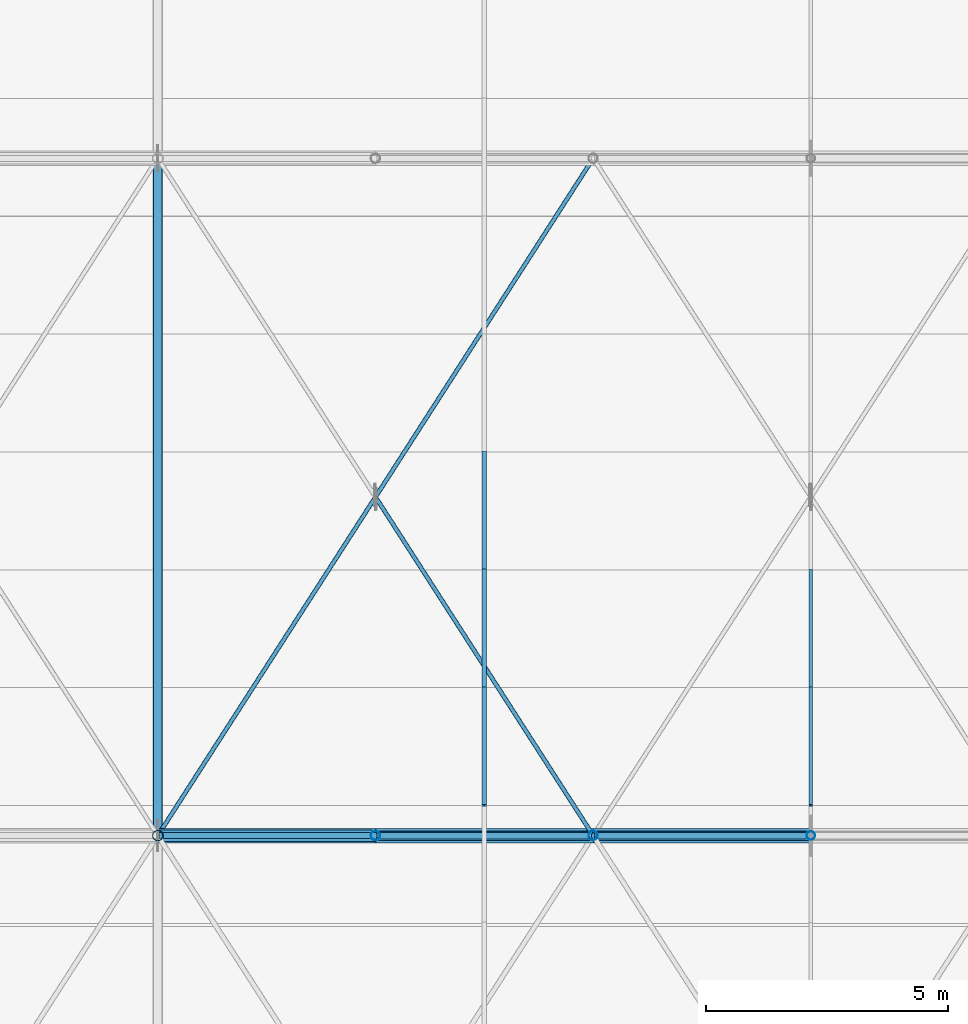
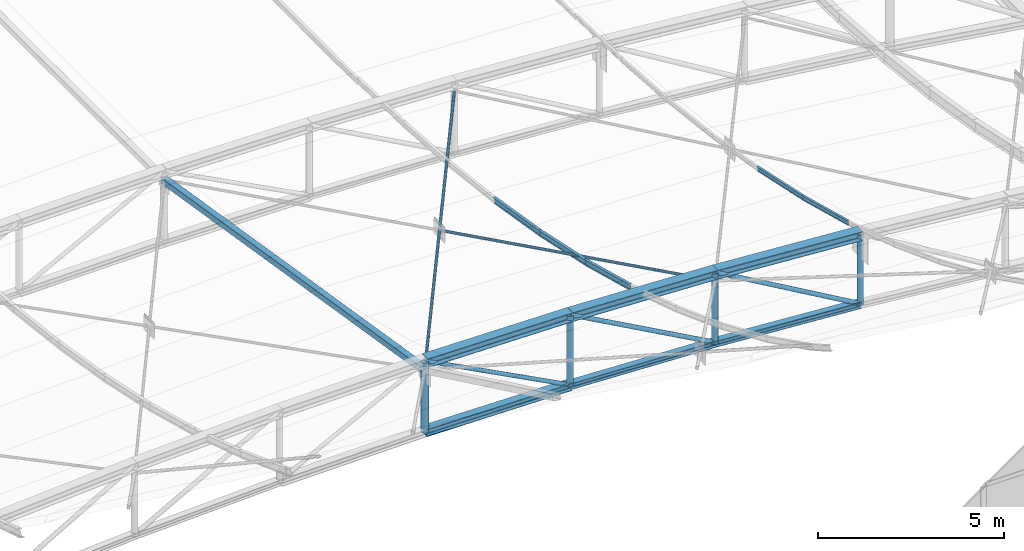
# One storey, part 154 of 262: 21 members.
"""IFC4 building model written with IfcOpenShell, lengths in metres."""

from ifc_helpers import new_model, si_unit, derived_unit, direction, frame, origin, origin_2d, place, context, subcontext, project, spatial, hollow_rectangle, hollow_circle, i_section, extrude, material, material_profile, profile_set, type_object, element, save


model = new_model("IFC4")

# Units and contexts
model_context = context("Model", 3, precision=1e-05, world=origin(), true_north=direction((0.0, 1.0)))
body_context = subcontext(model_context, "Body", "Model", "MODEL_VIEW")
ifc_project = project(units=[si_unit("LENGTHUNIT", "METRE"), si_unit("AREAUNIT", "SQUARE_METRE"), si_unit("VOLUMEUNIT", "CUBIC_METRE"), si_unit("PLANEANGLEUNIT", "RADIAN"), si_unit("MASSUNIT", "GRAM", prefix="KILO"), derived_unit("THERMALTRANSMITTANCEUNIT", [(si_unit("POWERUNIT", "WATT"), 1), (si_unit("LENGTHUNIT", "METRE"), -2), (si_unit("THERMODYNAMICTEMPERATUREUNIT", "KELVIN"), -1)])], contexts=[model_context])

# Site, building, storey
site_placement = place(None, origin())
site = spatial("IfcSite", under=ifc_project, at=site_placement, CompositionType="ELEMENT")
building_placement = place(site_placement, origin())
building = spatial("IfcBuilding", under=site, at=building_placement, Name="Almenara Railside Exhibition Hall", CompositionType="ELEMENT")
storey_placement = place(building_placement, frame((0.0, 0.0, 21.699951171875)))
storey = spatial("IfcBuildingStorey", under=building, at=storey_placement, Name="RF", CompositionType="ELEMENT", Elevation=21.699951171875)

# Members
ifc_material = material(Name="Structural steel S355JR", Category="steel")
ifc_material_profile_1 = material_profile(ifc_material, i_section(OverallWidth=0.239990234375, OverallDepth=0.239990234375, WebThickness=0.010009765625, FlangeThickness=0.01708984375, FilletRadius=0.02099609375, at=origin_2d()), Name="HEB 240")
ifc_profile_set_1 = profile_set([ifc_material_profile_1], Name="Structural steel S355JR")
member_type_1 = type_object("IfcMemberType", Name="Arched Crown Bottom Chord HEB 240 S355JR", PredefinedType="CHORD", material=ifc_profile_set_1)
member_1_placement = place(storey_placement, frame((165.0, 48.0, -5.116455078125), z_axis=(0.999908030213, 0.0, -0.013562120635), x_axis=(0.0, 1.0, 0.0)))
element("IfcMember", 1, at=member_1_placement, inside=storey, type_object=member_type_1, Name="MEM-BC-V2-01-06", PredefinedType="CHORD", context=body_context, shape_type="SweptSolid", body=[
    extrude(i_section(OverallWidth=0.239990234375, OverallDepth=0.239990234375, WebThickness=0.010009765625, FlangeThickness=0.01708984375, FilletRadius=0.02099609375, at=origin_2d()), origin(), (0.0, 0.0, 1.0), 4.50048828125),
])
ifc_material_profile_2 = material_profile(ifc_material, i_section(OverallWidth=0.300048828125, OverallDepth=0.300048828125, WebThickness=0.010986328125, FlangeThickness=0.01904296875, FilletRadius=0.027099609375, at=origin_2d()), Name="HEB 300")
ifc_profile_set_2 = profile_set([ifc_material_profile_2], Name="Structural steel S355JR")
member_type_2 = type_object("IfcMemberType", Name="Arched Inner Top Chord HEB 300 S355JR", PredefinedType="CHORD", material=ifc_profile_set_2)
member_2_placement = place(storey_placement, frame((165.0, 48.0, -2.81640625), z_axis=(0.999908030213, 0.0, -0.013562120635), x_axis=(0.0, 1.0, 0.0)))
element("IfcMember", 2, at=member_2_placement, inside=storey, type_object=member_type_2, Name="MEM-TC-V2-01-06", PredefinedType="CHORD", context=body_context, shape_type="SweptSolid", body=[
    extrude(i_section(OverallWidth=0.300048828125, OverallDepth=0.300048828125, WebThickness=0.010986328125, FlangeThickness=0.01904296875, FilletRadius=0.027099609375, at=origin_2d()), origin(), (0.0, 0.0, 1.0), 4.50048828125),
])
member_3_placement = place(storey_placement, frame((169.5, 48.0, -2.87744140625), z_axis=(0.99917098071, 0.0, -0.04071057978), x_axis=(0.0, 1.0, 0.0)))
element("IfcMember", 3, at=member_3_placement, inside=storey, type_object=member_type_2, Name="MEM-TC-V2-01-07", PredefinedType="CHORD", context=body_context, shape_type="SweptSolid", body=[
    extrude(i_section(OverallWidth=0.300048828125, OverallDepth=0.300048828125, WebThickness=0.010986328125, FlangeThickness=0.01904296875, FilletRadius=0.027099609375, at=origin_2d()), origin(), (0.0, 0.0, 1.0), 4.503662109375),
])
member_4_placement = place(storey_placement, frame((174.0, 48.0, -3.060791015625), z_axis=(0.997701025897, 0.0, -0.067769188608), x_axis=(0.0, 1.0, 0.0)))
element("IfcMember", 4, at=member_4_placement, inside=storey, type_object=member_type_2, Name="MEM-TC-V2-01-08", PredefinedType="CHORD", context=body_context, shape_type="SweptSolid", body=[
    extrude(i_section(OverallWidth=0.300048828125, OverallDepth=0.300048828125, WebThickness=0.010986328125, FlangeThickness=0.01904296875, FilletRadius=0.027099609375, at=origin_2d()), origin(), (0.0, 0.0, 1.0), 4.51025390625),
])
ifc_material_profile_3 = material_profile(ifc_material, i_section(OverallWidth=0.199951171875, OverallDepth=0.199951171875, WebThickness=0.009033203125, FlangeThickness=0.014892578125, FilletRadius=0.01806640625, at=origin_2d()), Name="HEB 200")
ifc_profile_set_3 = profile_set([ifc_material_profile_3], Name="Structural steel S355JR")
member_type_3 = type_object("IfcMemberType", Name="Canopy Collar Chord HEB 200 S355JR", PredefinedType="CHORD", material=ifc_profile_set_3)
member_5_placement = place(storey_placement, frame((169.5, 48.0, -5.177490234375), z_axis=(0.99917098071, 0.0, -0.04071057978), x_axis=(0.0, 1.0, 0.0)))
element("IfcMember", 5, at=member_5_placement, inside=storey, type_object=member_type_3, Name="MEM-BC-V2-01-07", PredefinedType="CHORD", context=body_context, shape_type="SweptSolid", body=[
    extrude(i_section(OverallWidth=0.199951171875, OverallDepth=0.199951171875, WebThickness=0.009033203125, FlangeThickness=0.014892578125, FilletRadius=0.01806640625, at=origin_2d()), origin(), (0.0, 0.0, 1.0), 4.503662109375),
])
member_6_placement = place(storey_placement, frame((174.0, 48.0, -5.36083984375), z_axis=(0.997701025897, 0.0, -0.067769188608), x_axis=(0.0, 1.0, 0.0)))
element("IfcMember", 6, at=member_6_placement, inside=storey, type_object=member_type_3, Name="MEM-BC-V2-01-08", PredefinedType="CHORD", context=body_context, shape_type="SweptSolid", body=[
    extrude(i_section(OverallWidth=0.199951171875, OverallDepth=0.199951171875, WebThickness=0.009033203125, FlangeThickness=0.014892578125, FilletRadius=0.01806640625, at=origin_2d()), origin(), (0.0, 0.0, 1.0), 4.51025390625),
])
ifc_material_profile_4 = material_profile(ifc_material, i_section(OverallWidth=0.072998046875, OverallDepth=0.139892578125, WebThickness=0.004638671875, FlangeThickness=0.0068359375, FilletRadius=0.007080078125, at=origin_2d()), Name="IPE 140")
ifc_profile_set_4 = profile_set([ifc_material_profile_4], Name="Structural steel S355JR")
member_type_4 = type_object("IfcMemberType", Name="Canopy Edge Purlin IPE 140 S355JR", PredefinedType="PURLIN", material=ifc_profile_set_4)
member_7_placement = place(storey_placement, frame((178.5, 48.6201171875, -3.392333984375), z_axis=(0.0, 0.966201190487, -0.257789176462), x_axis=(-1.0, 0.0, 0.0)))
element("IfcMember", 7, at=member_7_placement, inside=storey, type_object=member_type_4, Name="MEM-PR-V2-PR-IPE140-06-06", PredefinedType="PURLIN", context=body_context, shape_type="SweptSolid", body=[
    extrude(i_section(OverallWidth=0.072998046875, OverallDepth=0.139892578125, WebThickness=0.004638671875, FlangeThickness=0.0068359375, FilletRadius=0.007080078125, at=origin_2d()), origin(), (0.0, 0.0, 1.0), 2.52197265625),
])
member_8_placement = place(storey_placement, frame((178.5, 51.056884765625, -4.039306640625), z_axis=(0.0, 0.977496103583, -0.210953472309), x_axis=(-1.0, 0.0, 0.0)))
element("IfcMember", 8, at=member_8_placement, inside=storey, type_object=member_type_4, Name="MEM-PR-V2-PR-IPE140-06-07", PredefinedType="PURLIN", context=body_context, shape_type="SweptSolid", body=[
    extrude(i_section(OverallWidth=0.072998046875, OverallDepth=0.139892578125, WebThickness=0.004638671875, FlangeThickness=0.0068359375, FilletRadius=0.007080078125, at=origin_2d()), origin(), (0.0, 0.0, 1.0), 2.492919921875),
])
ifc_material_profile_5 = material_profile(ifc_material, hollow_circle(Radius=0.04443359375, WallThickness=0.00390625, at=origin_2d()), Name="CHS 88.9x4")
ifc_profile_set_5 = profile_set([ifc_material_profile_5], Name="Structural steel S355JR")
member_type_5 = type_object("IfcMemberType", Name="Canopy Tie Brace CHS 88.9x4 S355JR", PredefinedType="BRACE", material=ifc_profile_set_5)
member_9_placement = place(storey_placement, frame((165.0, 48.0, -3.096435546875), z_axis=(0.534695942262, 0.831749243519, -0.149309896638), x_axis=(-0.841178475377, 0.540757591313, 0.0)))
element("IfcMember", 9, at=member_9_placement, inside=storey, type_object=member_type_5, Name="MEM-WB-V2-WB-CHS89-01-06-C", PredefinedType="BRACE", context=body_context, shape_type="SweptSolid", body=[
    extrude(hollow_circle(Radius=0.04443359375, WallThickness=0.00390625, at=origin_2d()), origin(), (0.0, 0.0, 1.0), 16.83203125),
])
member_10_placement = place(storey_placement, frame((174.0, 48.0, -3.3408203125), z_axis=(-0.536816035855, 0.835014619562, -0.120744063069), x_axis=(-0.84116888765, -0.540772505264, 0.0)))
element("IfcMember", 10, at=member_10_placement, inside=storey, type_object=member_type_5, Name="MEM-WB-V2-WB-CHS89-01-06-S1", PredefinedType="BRACE", context=body_context, shape_type="SweptSolid", body=[
    extrude(hollow_circle(Radius=0.04443359375, WallThickness=0.00390625, at=origin_2d()), origin(), (0.0, 0.0, 1.0), 8.33447265625),
])
ifc_material_profile_6 = material_profile(ifc_material, hollow_rectangle(XDim=0.199951171875, YDim=0.199951171875, WallThickness=0.008056640625, InnerFilletRadius=0.008056640625, OuterFilletRadius=0.01611328125, at=origin_2d()), Name="SHS 200x200x8")
ifc_profile_set_6 = profile_set([ifc_material_profile_6], Name="Structural steel S355JR")
member_type_6 = type_object("IfcMemberType", Name="Eaves Sway Strut SHS 200x200x8 S355JR", PredefinedType="BRACE", material=ifc_profile_set_6)
member_11_placement = place(storey_placement, frame((165.0, 48.0, -3.096435546875), z_axis=(0.0, 0.987121865727, -0.159970066584), x_axis=(-1.0, 0.0, 0.0)))
element("IfcMember", 11, at=member_11_placement, inside=storey, type_object=member_type_6, Name="MEM-ES-V2-01", PredefinedType="BRACE", context=body_context, shape_type="SweptSolid", body=[
    extrude(hollow_rectangle(XDim=0.199951171875, YDim=0.199951171875, WallThickness=0.008056640625, InnerFilletRadius=0.008056640625, OuterFilletRadius=0.01611328125, at=origin_2d()), origin(), (0.0, 0.0, 1.0), 14.1826171875),
])
ifc_material_profile_7 = material_profile(ifc_material, i_section(OverallWidth=0.091064453125, OverallDepth=0.179931640625, WebThickness=0.00537109375, FlangeThickness=0.008056640625, FilletRadius=0.009033203125, at=origin_2d()), Name="IPE 180")
ifc_profile_set_7 = profile_set([ifc_material_profile_7], Name="Structural steel S355JR")
member_type_7 = type_object("IfcMemberType", Name="Plenary Roof Purlin IPE 180 S355JR", PredefinedType="PURLIN", material=ifc_profile_set_7)
member_12_placement = place(storey_placement, frame((171.75, 48.6201171875, -3.13671875), z_axis=(0.0, 0.966201190487, -0.257789176462), x_axis=(-1.0, 0.0, 0.0)))
element("IfcMember", 12, at=member_12_placement, inside=storey, type_object=member_type_7, Name="MEM-PR-V2-PR-IPE180-05-06", PredefinedType="PURLIN", context=body_context, shape_type="SweptSolid", body=[
    extrude(i_section(OverallWidth=0.091064453125, OverallDepth=0.179931640625, WebThickness=0.00537109375, FlangeThickness=0.008056640625, FilletRadius=0.009033203125, at=origin_2d()), origin(), (0.0, 0.0, 1.0), 2.52197265625),
])
member_13_placement = place(storey_placement, frame((171.75, 51.056884765625, -3.783447265625), z_axis=(0.0, 0.977496103583, -0.210953472309), x_axis=(-1.0, 0.0, 0.0)))
element("IfcMember", 13, at=member_13_placement, inside=storey, type_object=member_type_7, Name="MEM-PR-V2-PR-IPE180-05-07", PredefinedType="PURLIN", context=body_context, shape_type="SweptSolid", body=[
    extrude(i_section(OverallWidth=0.091064453125, OverallDepth=0.179931640625, WebThickness=0.00537109375, FlangeThickness=0.008056640625, FilletRadius=0.009033203125, at=origin_2d()), origin(), (0.0, 0.0, 1.0), 2.492919921875),
])
member_14_placement = place(storey_placement, frame((171.75, 53.49365234375, -4.306640625), z_axis=(0.0, 0.986449960692, -0.164062412058), x_axis=(-1.0, 0.0, 0.0)))
element("IfcMember", 14, at=member_14_placement, inside=storey, type_object=member_type_7, Name="MEM-PR-V2-PR-IPE180-05-08", PredefinedType="PURLIN", context=body_context, shape_type="SweptSolid", body=[
    extrude(i_section(OverallWidth=0.091064453125, OverallDepth=0.179931640625, WebThickness=0.00537109375, FlangeThickness=0.008056640625, FilletRadius=0.009033203125, at=origin_2d()), origin(), (0.0, 0.0, 1.0), 2.47021484375),
])
ifc_material_profile_8 = material_profile(ifc_material, hollow_circle(Radius=0.0634765625, WallThickness=0.00439453125, at=origin_2d()), Name="CHS 127.0x4.5")
ifc_profile_set_8 = profile_set([ifc_material_profile_8], Name="Structural steel S355JR")
member_type_8 = type_object("IfcMemberType", Name="Truss Crown Diagonal CHS 127.0x4.5 S355JR", PredefinedType="BRACE", material=ifc_profile_set_8)
member_15_placement = place(storey_placement, frame((165.0, 48.0, -2.81640625), z_axis=(0.885512555589, 0.0, -0.464615447326), x_axis=(0.0, 1.0, 0.0)))
element("IfcMember", 15, at=member_15_placement, inside=storey, type_object=member_type_8, Name="MEM-TD-V2-01-06", PredefinedType="BRACE", context=body_context, shape_type="SweptSolid", body=[
    extrude(hollow_circle(Radius=0.0634765625, WallThickness=0.00439453125, at=origin_2d()), origin(), (0.0, 0.0, 1.0), 5.081787109375),
])
ifc_material_profile_9 = material_profile(ifc_material, hollow_circle(Radius=0.06982421875, WallThickness=0.0048828125, at=origin_2d()), Name="CHS 139.7x5")
ifc_profile_set_9 = profile_set([ifc_material_profile_9], Name="Structural steel S355JR")
member_type_9 = type_object("IfcMemberType", Name="Truss Inner Diagonal CHS 139.7x5 S355JR", PredefinedType="BRACE", material=ifc_profile_set_9)
member_16_placement = place(storey_placement, frame((169.5, 48.0, -2.87744140625), z_axis=(0.875525025835, 0.0, -0.483172773589), x_axis=(0.0, 1.0, 0.0)))
element("IfcMember", 16, at=member_16_placement, inside=storey, type_object=member_type_9, Name="MEM-TD-V2-01-07", PredefinedType="BRACE", context=body_context, shape_type="SweptSolid", body=[
    extrude(hollow_circle(Radius=0.06982421875, WallThickness=0.0048828125, at=origin_2d()), origin(), (0.0, 0.0, 1.0), 5.139892578125),
])
member_17_placement = place(storey_placement, frame((174.0, 48.0, -3.060791015625), z_axis=(0.865388781224, 0.0, -0.501101045031), x_axis=(0.0, 1.0, 0.0)))
element("IfcMember", 17, at=member_17_placement, inside=storey, type_object=member_type_9, Name="MEM-TD-V2-01-08", PredefinedType="BRACE", context=body_context, shape_type="SweptSolid", body=[
    extrude(hollow_circle(Radius=0.06982421875, WallThickness=0.0048828125, at=origin_2d()), origin(), (0.0, 0.0, 1.0), 5.199951171875),
])
ifc_material_profile_10 = material_profile(ifc_material, hollow_circle(Radius=0.109619140625, WallThickness=0.008056640625, at=origin_2d()), Name="CHS 219.1x8")
ifc_profile_set_10 = profile_set([ifc_material_profile_10], Name="Structural steel S355JR")
member_type_10 = type_object("IfcMemberType", Name="Truss Primary Vertical Strut CHS 219.1x8 S355JR", PredefinedType="BRACE", material=ifc_profile_set_10)
member_18_placement = place(storey_placement, frame((165.0, 48.0, -5.116455078125), z_axis=(0.0, 0.0, 1.0), x_axis=(1.0, 0.0, 0.0)))
element("IfcMember", 18, at=member_18_placement, inside=storey, type_object=member_type_10, Name="MEM-TV-V2-01-06", PredefinedType="BRACE", context=body_context, shape_type="SweptSolid", body=[
    extrude(hollow_circle(Radius=0.109619140625, WallThickness=0.008056640625, at=origin_2d()), origin(), (0.0, 0.0, 1.0), 2.300048828125),
])
ifc_material_profile_11 = material_profile(ifc_material, hollow_circle(Radius=0.0888671875, WallThickness=0.006103515625, at=origin_2d()), Name="CHS 177.8x6")
ifc_profile_set_11 = profile_set([ifc_material_profile_11], Name="Structural steel S355JR")
member_type_11 = type_object("IfcMemberType", Name="Truss Quarter Vertical Strut CHS 177.8x6 S355JR", PredefinedType="BRACE", material=ifc_profile_set_11)
member_19_placement = place(storey_placement, frame((178.5, 48.0, -5.66650390625), z_axis=(0.0, 0.0, 1.0), x_axis=(1.0, 0.0, 0.0)))
element("IfcMember", 19, at=member_19_placement, inside=storey, type_object=member_type_11, Name="MEM-TV-V2-01-09", PredefinedType="BRACE", context=body_context, shape_type="SweptSolid", body=[
    extrude(hollow_circle(Radius=0.0888671875, WallThickness=0.006103515625, at=origin_2d()), origin(), (0.0, 0.0, 1.0), 2.300048828125),
])
ifc_material_profile_12 = material_profile(ifc_material, hollow_circle(Radius=0.096923828125, WallThickness=0.00634765625, at=origin_2d()), Name="CHS 193.7x6.3")
ifc_profile_set_12 = profile_set([ifc_material_profile_12], Name="Structural steel S355JR")
member_type_12 = type_object("IfcMemberType", Name="Truss Standard Vertical Strut CHS 193.7x6.3 S355JR", PredefinedType="BRACE", material=ifc_profile_set_12)
for number, where, z_axis, x_axis, name in (
    (20, (169.5, 48.0, -5.177490234375), (0.0, 0.0, 1.0), (1.0, 0.0, 0.0), "MEM-TV-V2-01-07"),
    (21, (174.0, 48.0, -5.36083984375), (0.0, 0.0, 1.0), (1.0, 0.0, 0.0), "MEM-TV-V2-01-08"),
):
    element("IfcMember", number, at=place(storey_placement, frame(where, z_axis=z_axis, x_axis=x_axis)), inside=storey, type_object=member_type_12, Name=name, PredefinedType="BRACE", context=body_context, shape_type="SweptSolid", body=[
        extrude(hollow_circle(Radius=0.096923828125, WallThickness=0.00634765625, at=origin_2d()), origin(), (0.0, 0.0, 1.0), 2.300048828125),
    ])

save(model, "model.ifc")
